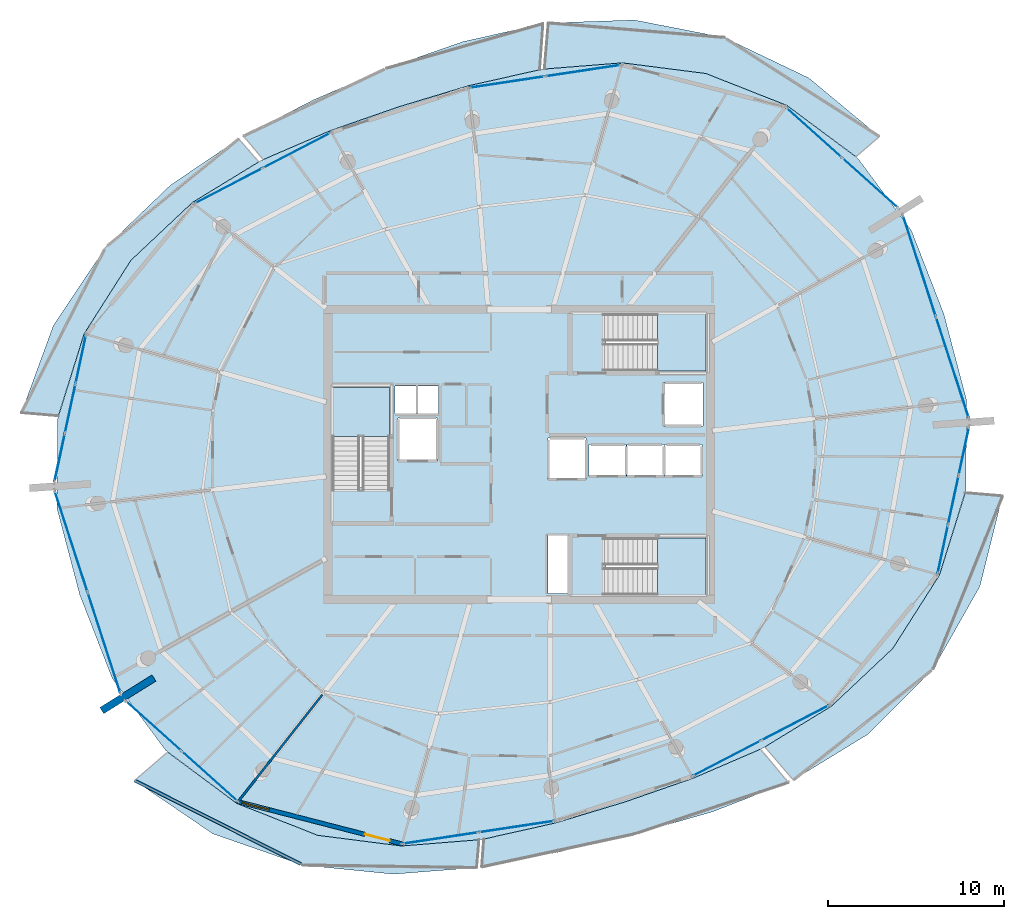
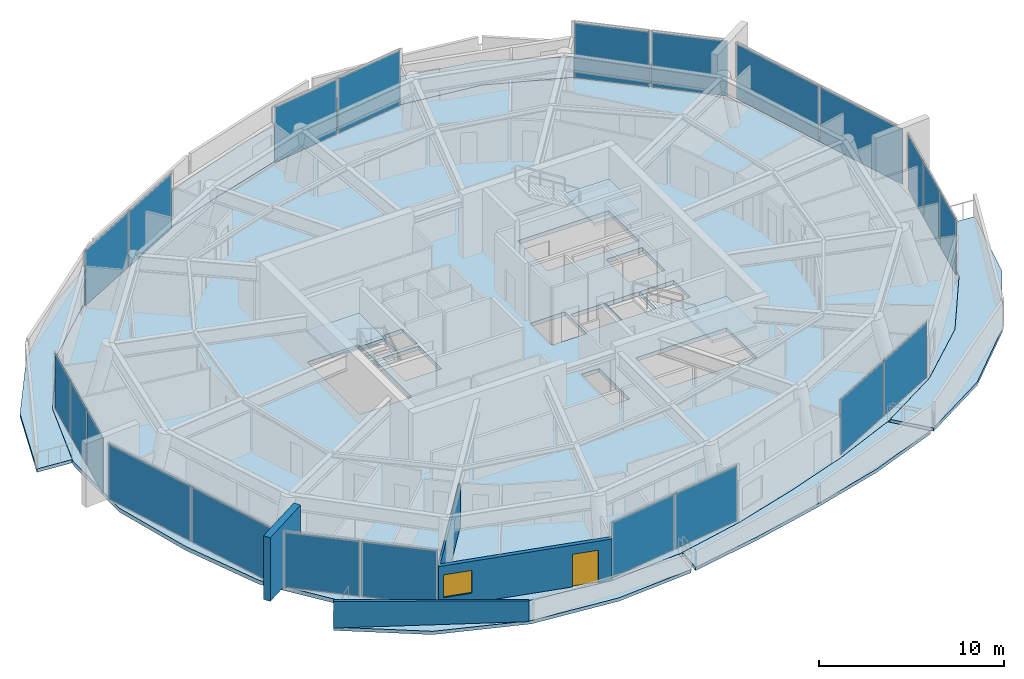
# One storey, part 8 of 19: 22 plates, 10 slabs, 4 walls, 1 door, 1 window, 2 openings, 13 elements without a shape of their own.
"""IFC4 building model written with IfcOpenShell, lengths in metres."""

from ifc_helpers import new_model, si_unit, direction, frame, frame_2d, origin, origin_2d, place, context, subcontext, project, spatial, polyline, rectangle, outline, extrude, material, layer, layer_set, type_object, element, fill, aggregate, save


model = new_model("IFC4")

# Units and contexts
model_context = context("Model", 3, precision=1e-05, world=origin(), true_north=direction((0.0, 1.0)))
body_context = subcontext(model_context, "Body", "Model", "MODEL_VIEW")
ifc_project = project(units=[si_unit("LENGTHUNIT", "METRE"), si_unit("AREAUNIT", "SQUARE_METRE"), si_unit("VOLUMEUNIT", "CUBIC_METRE"), si_unit("PLANEANGLEUNIT", "RADIAN"), si_unit("MASSUNIT", "GRAM", prefix="KILO")], contexts=[model_context])

# Site, building, storey
site_placement = place(None, origin())
site = spatial("IfcSite", under=ifc_project, at=site_placement, CompositionType="ELEMENT")
building_placement = place(site_placement, origin())
building = spatial("IfcBuilding", under=site, at=building_placement, Name="Kazma Halo Residences", CompositionType="ELEMENT")
storey_placement = place(building_placement, frame((0.0, 0.0, 347.300048828125)))
storey = spatial("IfcBuildingStorey", under=building, at=storey_placement, Name="L87", CompositionType="ELEMENT", Elevation=347.300048828125)

# Curtain wall, plates
ifc_material_1 = material(Name="Aluminium AW-6063 T6 and Triple-Silver Low-E Glass", Category="aluminium")
ifc_layer_1 = layer(ifc_material_1, 0.239990234375)
ifc_layer_set_1 = layer_set([ifc_layer_1], Name="Aluminium AW-6063 T6 and Triple-Silver Low-E Glass")
curtain_wall_type = type_object("IfcCurtainWallType", Name="CW-SYS-6", PredefinedType="NOTDEFINED", material=ifc_layer_set_1)
curtain_wall_1_placement = place(storey_placement, origin())
curtain_wall_1 = element("IfcCurtainWall", 1, at=curtain_wall_1_placement, inside=storey, type_object=curtain_wall_type, Name="L87 unitised curtain wall B01", PredefinedType="NOTDEFINED")
ifc_material_2 = material(Name="Clear Triple-Silver Low-E Glass IGU", Category="glass")
ifc_layer_2 = layer(ifc_material_2, 0.035888671875)
ifc_layer_set_2 = layer_set([ifc_layer_2], Name="Clear Triple-Silver Low-E Glass IGU")
plate_type = type_object("IfcPlateType", Name="CW-SYS-6-PNL", PredefinedType="CURTAIN_PANEL", material=ifc_layer_set_2)
plate_1_placement = place(storey_placement, frame((68.37646484375, 57.44189453125, 0.080078125), z_axis=(0.0, 0.0, 1.0), x_axis=(-0.744378829791, 0.667757559118, 0.0)))
plate_1 = element("IfcPlate", 2, at=plate_1_placement, type_object=plate_type, Name="CWS-6 panel 1.1", PredefinedType="CURTAIN_PANEL", context=body_context, shape_type="SweptSolid", body=[
    extrude(rectangle(XDim=4.19677734375, YDim=0.035888671875, at=origin_2d()), origin(), (0.0, 0.0, 1.0), 3.639892578125),
])
plate_2_placement = place(storey_placement, frame((65.19287109375, 60.297607421875, 0.080078125), z_axis=(0.0, 0.0, 1.0), x_axis=(-0.744378829791, 0.667757559118, 0.0)))
plate_2 = element("IfcPlate", 3, at=plate_2_placement, type_object=plate_type, Name="CWS-6 panel 2.1", PredefinedType="CURTAIN_PANEL", context=body_context, shape_type="SweptSolid", body=[
    extrude(rectangle(XDim=4.19677734375, YDim=0.035888671875, at=origin_2d()), origin(), (0.0, 0.0, 1.0), 3.639892578125),
])
aggregate(curtain_wall_1, [plate_1, plate_2])

curtain_wall_2_placement = place(storey_placement, origin())
curtain_wall_2 = element("IfcCurtainWall", 4, at=curtain_wall_2_placement, inside=storey, type_object=curtain_wall_type, Name="L87 unitised curtain wall B03", PredefinedType="NOTDEFINED")
plate_3_placement = place(storey_placement, frame((52.049560546875, 63.82275390625, 0.080078125), z_axis=(0.0, 0.0, 1.0), x_axis=(-0.988856643836, -0.148870876743, 0.0)))
plate_3 = element("IfcPlate", 5, at=plate_3_placement, type_object=plate_type, Name="CWS-6 panel 1.1", PredefinedType="CURTAIN_PANEL", context=body_context, shape_type="SweptSolid", body=[
    extrude(rectangle(XDim=4.28662109375, YDim=0.035888671875, at=origin_2d()), origin(), (0.0, 0.0, 1.0), 3.639892578125),
])
plate_4_placement = place(storey_placement, frame((47.731689453125, 63.1728515625, 0.080078125), z_axis=(0.0, 0.0, 1.0), x_axis=(-0.988856643836, -0.148870876743, 0.0)))
plate_4 = element("IfcPlate", 6, at=plate_4_placement, type_object=plate_type, Name="CWS-6 panel 2.1", PredefinedType="CURTAIN_PANEL", context=body_context, shape_type="SweptSolid", body=[
    extrude(rectangle(XDim=4.28662109375, YDim=0.035888671875, at=origin_2d()), origin(), (0.0, 0.0, 1.0), 3.639892578125),
])
aggregate(curtain_wall_2, [plate_3, plate_4])

curtain_wall_3_placement = place(storey_placement, origin())
curtain_wall_3 = element("IfcCurtainWall", 7, at=curtain_wall_3_placement, inside=storey, type_object=curtain_wall_type, Name="L87 unitised curtain wall B05", PredefinedType="NOTDEFINED")
plate_5_placement = place(storey_placement, frame((35.77197265625, 59.286865234375, 0.080078125), z_axis=(0.0, 0.0, 1.0), x_axis=(-0.887506071618, -0.460796020861, 0.0)))
plate_5 = element("IfcPlate", 8, at=plate_5_placement, type_object=plate_type, Name="CWS-6 panel 1.1", PredefinedType="CURTAIN_PANEL", context=body_context, shape_type="SweptSolid", body=[
    extrude(rectangle(XDim=4.28662109375, YDim=0.035888671875, at=origin_2d()), origin(), (0.0, 0.0, 1.0), 3.639892578125),
])
plate_6_placement = place(storey_placement, frame((31.896728515625, 57.274658203125, 0.080078125), z_axis=(0.0, 0.0, 1.0), x_axis=(-0.887506071618, -0.460796020861, 0.0)))
plate_6 = element("IfcPlate", 9, at=plate_6_placement, type_object=plate_type, Name="CWS-6 panel 2.1", PredefinedType="CURTAIN_PANEL", context=body_context, shape_type="SweptSolid", body=[
    extrude(rectangle(XDim=4.28662109375, YDim=0.035888671875, at=origin_2d()), origin(), (0.0, 0.0, 1.0), 3.639892578125),
])
aggregate(curtain_wall_3, [plate_5, plate_6])

curtain_wall_4_placement = place(storey_placement, origin())
curtain_wall_4 = element("IfcCurtainWall", 10, at=curtain_wall_4_placement, inside=storey, type_object=curtain_wall_type, Name="L87 unitised curtain wall B07", PredefinedType="NOTDEFINED")
plate_7_placement = place(storey_placement, frame((23.486572265625, 47.40087890625, 0.080078125), z_axis=(0.0, 0.0, 1.0), x_axis=(-0.209722888986, -0.977760865363, 0.0)))
plate_7 = element("IfcPlate", 11, at=plate_7_placement, type_object=plate_type, Name="CWS-6 panel 1.1", PredefinedType="CURTAIN_PANEL", context=body_context, shape_type="SweptSolid", body=[
    extrude(rectangle(XDim=2.7578125, YDim=0.035888671875, at=origin_2d()), origin(), (0.0, 0.0, 1.0), 3.639892578125),
])
plate_8_placement = place(storey_placement, frame((22.88720703125, 44.6064453125, 0.080078125), z_axis=(0.0, 0.0, 1.0), x_axis=(-0.209722888986, -0.977760865363, 0.0)))
plate_8 = element("IfcPlate", 12, at=plate_8_placement, type_object=plate_type, Name="CWS-6 panel 2.1", PredefinedType="CURTAIN_PANEL", context=body_context, shape_type="SweptSolid", body=[
    extrude(rectangle(XDim=2.7978515625, YDim=0.035888671875, at=origin_2d()), origin(), (0.0, 0.0, 1.0), 3.639892578125),
])
plate_9_placement = place(storey_placement, frame((22.287841796875, 41.812255859375, 0.080078125), z_axis=(0.0, 0.0, 1.0), x_axis=(-0.209722888986, -0.977760865363, 0.0)))
plate_9 = element("IfcPlate", 13, at=plate_9_placement, type_object=plate_type, Name="CWS-6 panel 3.1", PredefinedType="CURTAIN_PANEL", context=body_context, shape_type="SweptSolid", body=[
    extrude(rectangle(XDim=2.7578125, YDim=0.035888671875, at=origin_2d()), origin(), (0.0, 0.0, 1.0), 3.639892578125),
])
aggregate(curtain_wall_4, [plate_7, plate_8, plate_9])

curtain_wall_5_placement = place(storey_placement, origin())
curtain_wall_5 = element("IfcCurtainWall", 14, at=curtain_wall_5_placement, inside=storey, type_object=curtain_wall_type, Name="L87 unitised curtain wall B08", PredefinedType="NOTDEFINED")
plate_10_placement = place(storey_placement, frame((22.939208984375, 37.0498046875, 0.080078125), z_axis=(0.0, 0.0, 1.0), x_axis=(0.309018932797, -0.951055886462, 0.0)))
plate_10 = element("IfcPlate", 15, at=plate_10_placement, type_object=plate_type, Name="CWS-6 panel 1.1", PredefinedType="CURTAIN_PANEL", context=body_context, shape_type="SweptSolid", body=[
    extrude(rectangle(XDim=5.99267578125, YDim=0.035888671875, at=origin_2d()), origin(), (0.0, 0.0, 1.0), 3.639892578125),
])
plate_11_placement = place(storey_placement, frame((24.81591796875, 31.2744140625, 0.080078125), z_axis=(0.0, 0.0, 1.0), x_axis=(0.309018932797, -0.951055886462, 0.0)))
plate_11 = element("IfcPlate", 16, at=plate_11_placement, type_object=plate_type, Name="CWS-6 panel 2.1", PredefinedType="CURTAIN_PANEL", context=body_context, shape_type="SweptSolid", body=[
    extrude(rectangle(XDim=5.99267578125, YDim=0.035888671875, at=origin_2d()), origin(), (0.0, 0.0, 1.0), 3.639892578125),
])
aggregate(curtain_wall_5, [plate_10, plate_11])

curtain_wall_6_placement = place(storey_placement, origin())
curtain_wall_6 = element("IfcCurtainWall", 17, at=curtain_wall_6_placement, inside=storey, type_object=curtain_wall_type, Name="L87 unitised curtain wall B09", PredefinedType="NOTDEFINED")
plate_12_placement = place(storey_placement, frame((27.62353515625, 26.55810546875, 0.080078125), z_axis=(0.0, 0.0, 1.0), x_axis=(0.744378829791, -0.667757559118, 0.0)))
plate_12 = element("IfcPlate", 18, at=plate_12_placement, type_object=plate_type, Name="CWS-6 panel 1.1", PredefinedType="CURTAIN_PANEL", context=body_context, shape_type="SweptSolid", body=[
    extrude(rectangle(XDim=4.19677734375, YDim=0.035888671875, at=origin_2d()), origin(), (0.0, 0.0, 1.0), 3.639892578125),
])
plate_13_placement = place(storey_placement, frame((30.80712890625, 23.702392578125, 0.080078125), z_axis=(0.0, 0.0, 1.0), x_axis=(0.744378829791, -0.667757559118, 0.0)))
plate_13 = element("IfcPlate", 19, at=plate_13_placement, type_object=plate_type, Name="CWS-6 panel 2.1", PredefinedType="CURTAIN_PANEL", context=body_context, shape_type="SweptSolid", body=[
    extrude(rectangle(XDim=4.19677734375, YDim=0.035888671875, at=origin_2d()), origin(), (0.0, 0.0, 1.0), 3.639892578125),
])
aggregate(curtain_wall_6, [plate_12, plate_13])

curtain_wall_7_placement = place(storey_placement, origin())
curtain_wall_7 = element("IfcCurtainWall", 20, at=curtain_wall_7_placement, inside=storey, type_object=curtain_wall_type, Name="L87 unitised curtain wall B11", PredefinedType="NOTDEFINED")
plate_14_placement = place(storey_placement, frame((43.950439453125, 20.17724609375, 0.080078125), z_axis=(0.0, 0.0, 1.0), x_axis=(0.988856643836, 0.148870876743, 0.0)))
plate_14 = element("IfcPlate", 21, at=plate_14_placement, type_object=plate_type, Name="CWS-6 panel 1.1", PredefinedType="CURTAIN_PANEL", context=body_context, shape_type="SweptSolid", body=[
    extrude(rectangle(XDim=4.28662109375, YDim=0.035888671875, at=origin_2d()), origin(), (0.0, 0.0, 1.0), 3.639892578125),
])
plate_15_placement = place(storey_placement, frame((48.268310546875, 20.8271484375, 0.080078125), z_axis=(0.0, 0.0, 1.0), x_axis=(0.988856643836, 0.148870876743, 0.0)))
plate_15 = element("IfcPlate", 22, at=plate_15_placement, type_object=plate_type, Name="CWS-6 panel 2.1", PredefinedType="CURTAIN_PANEL", context=body_context, shape_type="SweptSolid", body=[
    extrude(rectangle(XDim=4.28662109375, YDim=0.035888671875, at=origin_2d()), origin(), (0.0, 0.0, 1.0), 3.639892578125),
])
aggregate(curtain_wall_7, [plate_14, plate_15])

curtain_wall_8_placement = place(storey_placement, origin())
curtain_wall_8 = element("IfcCurtainWall", 23, at=curtain_wall_8_placement, inside=storey, type_object=curtain_wall_type, Name="L87 unitised curtain wall B13", PredefinedType="NOTDEFINED")
plate_16_placement = place(storey_placement, frame((60.22802734375, 24.713134765625, 0.080078125), z_axis=(0.0, 0.0, 1.0), x_axis=(0.887506071618, 0.460796020861, 0.0)))
plate_16 = element("IfcPlate", 24, at=plate_16_placement, type_object=plate_type, Name="CWS-6 panel 1.1", PredefinedType="CURTAIN_PANEL", context=body_context, shape_type="SweptSolid", body=[
    extrude(rectangle(XDim=4.28662109375, YDim=0.035888671875, at=origin_2d()), origin(), (0.0, 0.0, 1.0), 3.639892578125),
])
plate_17_placement = place(storey_placement, frame((64.103271484375, 26.725341796875, 0.080078125), z_axis=(0.0, 0.0, 1.0), x_axis=(0.887506071618, 0.460796020861, 0.0)))
plate_17 = element("IfcPlate", 25, at=plate_17_placement, type_object=plate_type, Name="CWS-6 panel 2.1", PredefinedType="CURTAIN_PANEL", context=body_context, shape_type="SweptSolid", body=[
    extrude(rectangle(XDim=4.28662109375, YDim=0.035888671875, at=origin_2d()), origin(), (0.0, 0.0, 1.0), 3.639892578125),
])
aggregate(curtain_wall_8, [plate_16, plate_17])

curtain_wall_9_placement = place(storey_placement, origin())
curtain_wall_9 = element("IfcCurtainWall", 26, at=curtain_wall_9_placement, inside=storey, type_object=curtain_wall_type, Name="L87 unitised curtain wall B15", PredefinedType="NOTDEFINED")
plate_18_placement = place(storey_placement, frame((72.513427734375, 36.59912109375, 0.080078125), z_axis=(0.0, 0.0, 1.0), x_axis=(0.209722888986, 0.977760865363, 0.0)))
plate_18 = element("IfcPlate", 27, at=plate_18_placement, type_object=plate_type, Name="CWS-6 panel 1.1", PredefinedType="CURTAIN_PANEL", context=body_context, shape_type="SweptSolid", body=[
    extrude(rectangle(XDim=2.7578125, YDim=0.035888671875, at=origin_2d()), origin(), (0.0, 0.0, 1.0), 3.639892578125),
])
plate_19_placement = place(storey_placement, frame((73.11279296875, 39.3935546875, 0.080078125), z_axis=(0.0, 0.0, 1.0), x_axis=(0.209722888986, 0.977760865363, 0.0)))
plate_19 = element("IfcPlate", 28, at=plate_19_placement, type_object=plate_type, Name="CWS-6 panel 2.1", PredefinedType="CURTAIN_PANEL", context=body_context, shape_type="SweptSolid", body=[
    extrude(rectangle(XDim=2.7978515625, YDim=0.035888671875, at=origin_2d()), origin(), (0.0, 0.0, 1.0), 3.639892578125),
])
plate_20_placement = place(storey_placement, frame((73.712158203125, 42.187744140625, 0.080078125), z_axis=(0.0, 0.0, 1.0), x_axis=(0.209722888986, 0.977760865363, 0.0)))
plate_20 = element("IfcPlate", 29, at=plate_20_placement, type_object=plate_type, Name="CWS-6 panel 3.1", PredefinedType="CURTAIN_PANEL", context=body_context, shape_type="SweptSolid", body=[
    extrude(rectangle(XDim=2.7578125, YDim=0.035888671875, at=origin_2d()), origin(), (0.0, 0.0, 1.0), 3.639892578125),
])
aggregate(curtain_wall_9, [plate_18, plate_19, plate_20])

curtain_wall_10_placement = place(storey_placement, origin())
curtain_wall_10 = element("IfcCurtainWall", 30, at=curtain_wall_10_placement, inside=storey, type_object=curtain_wall_type, Name="L87 unitised curtain wall B16", PredefinedType="NOTDEFINED")
plate_21_placement = place(storey_placement, frame((73.060791015625, 46.9501953125, 0.080078125), z_axis=(0.0, 0.0, 1.0), x_axis=(-0.309018932797, 0.951055886462, 0.0)))
plate_21 = element("IfcPlate", 31, at=plate_21_placement, type_object=plate_type, Name="CWS-6 panel 1.1", PredefinedType="CURTAIN_PANEL", context=body_context, shape_type="SweptSolid", body=[
    extrude(rectangle(XDim=5.99267578125, YDim=0.035888671875, at=origin_2d()), origin(), (0.0, 0.0, 1.0), 3.639892578125),
])
plate_22_placement = place(storey_placement, frame((71.18408203125, 52.7255859375, 0.080078125), z_axis=(0.0, 0.0, 1.0), x_axis=(-0.309018932797, 0.951055886462, 0.0)))
plate_22 = element("IfcPlate", 32, at=plate_22_placement, type_object=plate_type, Name="CWS-6 panel 2.1", PredefinedType="CURTAIN_PANEL", context=body_context, shape_type="SweptSolid", body=[
    extrude(rectangle(XDim=5.99267578125, YDim=0.035888671875, at=origin_2d()), origin(), (0.0, 0.0, 1.0), 3.639892578125),
])
aggregate(curtain_wall_10, [plate_21, plate_22])

# Slabs
ifc_material_3 = material(Name="White Concrete C50/60", Category="concrete")
ifc_layer_3 = layer(ifc_material_3, 0.219970703125)
ifc_layer_set_3 = layer_set([ifc_layer_3], Name="White Concrete C50/60")
slab_type_1 = type_object("IfcSlabType", Name="SLB-BAL-WAVE-210", PredefinedType="FLOOR", material=ifc_layer_set_3)
slab_1_placement = place(storey_placement, frame((0.0, 0.0, -0.219970703125)))
element("IfcSlab", 33, at=slab_1_placement, inside=storey, type_object=slab_type_1, Name="L87 NE cantilevered wave balcony slab", PredefinedType="FLOOR", context=body_context, shape_type="SweptSolid", body=[
    extrude(outline(polyline([(67.578369140625, 58.929443359375), (63.64697265625, 61.847900390625), (59.038818359375, 63.664794921875), (54.281005859375, 64.271240234375), (49.85986328125, 63.918701171875), (50.08203125, 66.53759765625), (54.968017578125, 66.70654296875), (60.08154296875, 65.71142578125), (64.8828125, 63.416015625), (68.906982421875, 60.078369140625), (67.578369140625, 58.929443359375)])), origin(), (0.0, 0.0, 1.0), 0.219970703125),
])
slab_2_placement = place(storey_placement, frame((0.0, 0.0, -0.219970703125)))
element("IfcSlab", 34, at=slab_2_placement, inside=storey, type_object=slab_type_1, Name="L87 NNW cantilevered wave balcony slab", PredefinedType="FLOOR", context=body_context, shape_type="SweptSolid", body=[
    extrude(outline(polyline([(49.58740234375, 63.8779296875), (45.518798828125, 62.962890625), (41.575927734375, 61.771484375), (37.685546875, 60.417724609375), (33.856201171875, 58.7666015625), (32.732177734375, 60.09912109375), (36.7099609375, 62.159912109375), (40.865966796875, 63.9560546875), (45.221435546875, 65.475830078125), (49.77734375, 66.4951171875), (49.58740234375, 63.8779296875)])), origin(), (0.0, 0.0, 1.0), 0.219970703125),
])
slab_3_placement = place(storey_placement, frame((0.0, 0.0, -0.219970703125)))
element("IfcSlab", 35, at=slab_3_placement, inside=storey, type_object=slab_type_1, Name="L87 NW cantilevered wave balcony slab", PredefinedType="FLOOR", context=body_context, shape_type="SweptSolid", body=[
    extrude(outline(polyline([(33.61181640625, 58.639404296875), (29.82763671875, 56.325927734375), (26.335205078125, 53.038818359375), (23.675048828125, 48.8603515625), (22.2099609375, 44.188232421875), (20.109619140625, 44.366455078125), (21.933837890625, 49.351318359375), (24.893798828125, 53.773193359375), (28.580810546875, 57.30908203125), (32.477783203125, 59.951171875), (33.61181640625, 58.639404296875)])), origin(), (0.0, 0.0, 1.0), 0.219970703125),
])
slab_4_placement = place(storey_placement, frame((0.0, 0.0, -0.219970703125)))
element("IfcSlab", 36, at=slab_4_placement, inside=storey, type_object=slab_type_1, Name="L87 SW cantilevered wave balcony slab", PredefinedType="FLOOR", context=body_context, shape_type="SweptSolid", body=[
    extrude(outline(polyline([(28.421630859375, 25.070556640625), (32.35302734375, 22.152099609375), (36.961181640625, 20.335205078125), (41.718994140625, 19.728759765625), (46.14013671875, 20.081298828125), (46.005859375, 18.49853515625), (41.2666015625, 18.125732421875), (36.09912109375, 18.643310546875), (30.991455078125, 20.4248046875), (26.547119140625, 23.449462890625), (28.421630859375, 25.070556640625)])), origin(), (0.0, 0.0, 1.0), 0.219970703125),
])
slab_5_placement = place(storey_placement, frame((0.0, 0.0, -0.219970703125)))
element("IfcSlab", 37, at=slab_5_placement, inside=storey, type_object=slab_type_1, Name="L87 SSE cantilevered wave balcony slab", PredefinedType="FLOOR", context=body_context, shape_type="SweptSolid", body=[
    extrude(outline(polyline([(46.41259765625, 20.1220703125), (50.481201171875, 21.037109375), (54.424072265625, 22.228515625), (58.314453125, 23.582275390625), (62.143798828125, 25.2333984375), (63.733154296875, 23.34912109375), (59.38916015625, 21.6630859375), (55.010986328125, 20.42236328125), (50.677001953125, 19.3828125), (46.2978515625, 18.5419921875), (46.41259765625, 20.1220703125)])), origin(), (0.0, 0.0, 1.0), 0.219970703125),
])
slab_6_placement = place(storey_placement, frame((0.0, 0.0, -0.219970703125)))
element("IfcSlab", 38, at=slab_6_placement, inside=storey, type_object=slab_type_1, Name="L87 SE cantilevered wave balcony slab", PredefinedType="FLOOR", context=body_context, shape_type="SweptSolid", body=[
    extrude(outline(polyline([(62.38818359375, 25.360595703125), (66.17236328125, 27.674072265625), (69.664794921875, 30.961181640625), (72.324951171875, 35.1396484375), (73.7900390625, 39.811767578125), (75.909423828125, 39.6318359375), (74.622314453125, 34.49169921875), (71.962158203125, 29.79052734375), (68.22021484375, 26.0595703125), (64.011962890625, 23.482666015625), (62.38818359375, 25.360595703125)])), origin(), (0.0, 0.0, 1.0), 0.219970703125),
])
ifc_material_4 = material(Name="Concrete C50/60", Category="concrete")
ifc_layer_4 = layer(ifc_material_4, 0.260009765625)
ifc_layer_set_4 = layer_set([ifc_layer_4], Name="Concrete C50/60")
slab_type_2 = type_object("IfcSlabType", Name="SLB-RES-260", PredefinedType="FLOOR", material=ifc_layer_set_4)
slab_7_placement = place(storey_placement, frame((0.0, 0.0, -0.260009765625)))
element("IfcSlab", 39, at=slab_7_placement, inside=storey, type_object=slab_type_2, Name="L87 structural floor slab", PredefinedType="FLOOR", context=body_context, shape_type="SweptSolid", body=[
    extrude(outline(polyline([(72.573486328125, 49.984375), (70.730224609375, 54.7294921875), (67.697265625, 58.822998046875), (63.6455078125, 61.84619140625), (59.037841796875, 63.6630859375), (54.280517578125, 64.269287109375), (49.723876953125, 63.90478515625), (45.51904296875, 62.9609375), (41.576416015625, 61.76953125), (37.6865234375, 60.416015625), (33.72998046875, 58.7080078125), (29.829345703125, 56.32470703125), (26.3369140625, 53.037841796875), (23.677001953125, 48.85986328125), (22.17626953125, 44.032470703125), (22.12841796875, 38.93798828125), (23.426513671875, 34.015625), (25.269775390625, 29.2705078125), (28.302734375, 25.177001953125), (32.3544921875, 22.15380859375), (36.962158203125, 20.3369140625), (41.719482421875, 19.730712890625), (46.276123046875, 20.09521484375), (50.48095703125, 21.0390625), (54.423583984375, 22.23046875), (58.3134765625, 23.583984375), (62.27001953125, 25.2919921875), (66.170654296875, 27.67529296875), (69.6630859375, 30.962158203125), (72.322998046875, 35.14013671875), (73.82373046875, 39.967529296875), (73.87158203125, 45.06201171875), (72.573486328125, 49.984375)]), holes=[polyline([(37.800048828125, 40.110107421875), (41.050048828125, 40.110107421875), (41.050048828125, 45.800048828125), (37.800048828125, 45.800048828125), (37.800048828125, 40.110107421875)]), polyline([(53.360107421875, 46.75), (59.050048828125, 46.75), (59.050048828125, 50.0), (53.360107421875, 50.0), (53.360107421875, 46.75)]), polyline([(53.360107421875, 34.0), (59.050048828125, 34.0), (59.050048828125, 37.25), (53.360107421875, 37.25), (53.360107421875, 34.0)]), polyline([(41.52001953125, 41.6201171875), (43.780029296875, 41.6201171875), (43.780029296875, 44.080078125), (41.52001953125, 44.080078125), (41.52001953125, 41.6201171875)]), polyline([(56.6201171875, 43.6201171875), (58.8798828125, 43.6201171875), (58.8798828125, 46.080078125), (56.6201171875, 46.080078125), (56.6201171875, 43.6201171875)]), polyline([(52.39501953125, 40.7451171875), (54.5048828125, 40.7451171875), (54.5048828125, 42.554931640625), (52.39501953125, 42.554931640625), (52.39501953125, 40.7451171875)]), polyline([(54.544921875, 40.7451171875), (56.655029296875, 40.7451171875), (56.655029296875, 42.554931640625), (54.544921875, 42.554931640625), (54.544921875, 40.7451171875)]), polyline([(56.695068359375, 40.7451171875), (58.804931640625, 40.7451171875), (58.804931640625, 42.554931640625), (56.695068359375, 42.554931640625), (56.695068359375, 40.7451171875)]), polyline([(50.070068359375, 40.570068359375), (52.22998046875, 40.570068359375), (52.22998046875, 42.929931640625), (50.070068359375, 42.929931640625), (50.070068359375, 40.570068359375)]), polyline([(41.360107421875, 44.340087890625), (42.5400390625, 44.340087890625), (42.5400390625, 45.89990234375), (41.360107421875, 45.89990234375), (41.360107421875, 44.340087890625)]), polyline([(42.659912109375, 44.340087890625), (43.840087890625, 44.340087890625), (43.840087890625, 45.89990234375), (42.659912109375, 45.89990234375), (42.659912109375, 44.340087890625)]), polyline([(50.06005859375, 34.080078125), (51.159912109375, 34.080078125), (51.159912109375, 37.3798828125), (50.06005859375, 37.3798828125), (50.06005859375, 34.080078125)])]), origin(), (0.0, 0.0, 1.0), 0.260009765625),
])

# Stair, slab
stair_type = type_object("IfcStairType", Name="STR-RES2", PredefinedType="HALF_TURN_STAIR", material=ifc_material_4)
stair_1_placement = place(storey_placement, origin())
stair_1 = element("IfcStair", 40, at=stair_1_placement, inside=storey, type_object=stair_type, Name="L87 Core exit stair ST-01", PredefinedType="HALF_TURN_STAIR")
ifc_layer_5 = layer(ifc_material_4, 0.199951171875)
ifc_layer_set_5 = layer_set([ifc_layer_5], Name="Concrete C50/60")
slab_type_3 = type_object("IfcSlabType", Name="SLB-STAIR-LND-200", PredefinedType="LANDING", material=ifc_layer_set_5)
slab_8_placement = place(storey_placement, frame((0.0, 0.0, 1.89990234375)))
slab_8 = element("IfcSlab", 41, at=slab_8_placement, type_object=slab_type_3, Name="ST-01 landing 1", PredefinedType="LANDING", context=body_context, shape_type="SweptSolid", body=[
    extrude(outline(polyline([(41.050048828125, 43.030029296875), (41.050048828125, 45.800048828125), (37.800048828125, 45.800048828125), (37.800048828125, 43.030029296875), (41.050048828125, 43.030029296875)])), origin(), (0.0, 0.0, 1.0), 0.199951171875),
])
aggregate(stair_1, [slab_8])

stair_2_placement = place(storey_placement, origin())
stair_2 = element("IfcStair", 42, at=stair_2_placement, inside=storey, type_object=stair_type, Name="L87 Core exit stair ST-02", PredefinedType="HALF_TURN_STAIR")
slab_9_placement = place(storey_placement, frame((0.0, 0.0, 1.89990234375)))
slab_9 = element("IfcSlab", 43, at=slab_9_placement, type_object=slab_type_3, Name="ST-02 landing 1", PredefinedType="LANDING", context=body_context, shape_type="SweptSolid", body=[
    extrude(outline(polyline([(56.280029296875, 46.75), (59.050048828125, 46.75), (59.050048828125, 50.0), (56.280029296875, 50.0), (56.280029296875, 46.75)])), origin(), (0.0, 0.0, 1.0), 0.199951171875),
])
aggregate(stair_2, [slab_9])

stair_3_placement = place(storey_placement, origin())
stair_3 = element("IfcStair", 44, at=stair_3_placement, inside=storey, type_object=stair_type, Name="L87 Core exit stair ST-03", PredefinedType="HALF_TURN_STAIR")
slab_10_placement = place(storey_placement, frame((0.0, 0.0, 1.89990234375)))
slab_10 = element("IfcSlab", 45, at=slab_10_placement, type_object=slab_type_3, Name="ST-03 landing 1", PredefinedType="LANDING", context=body_context, shape_type="SweptSolid", body=[
    extrude(outline(polyline([(56.280029296875, 34.0), (59.050048828125, 34.0), (59.050048828125, 37.25), (56.280029296875, 37.25), (56.280029296875, 34.0)])), origin(), (0.0, 0.0, 1.0), 0.199951171875),
])
aggregate(stair_3, [slab_10])

# Walls
ifc_material_5 = material(Name="White Concrete C50/60 Balustrade", Category="concrete")
ifc_layer_6 = layer(ifc_material_5, 0.179931640625)
ifc_layer_set_6 = layer_set([ifc_layer_6], Name="White Concrete C50/60 Balustrade")
wall_type_1 = type_object("IfcWallType", Name="WL-BAL-WAVE-180", PredefinedType="PARAPET", material=ifc_layer_set_6)
wall_1_placement = place(storey_placement, frame((26.547119140625, 23.449462890625, 0.0), z_axis=(0.0, 0.0, 1.0), x_axis=(0.893288240785, -0.449484281009, 0.0)))
element("IfcWall", 46, at=wall_1_placement, inside=storey, type_object=wall_type_1, Name="L87 white wave balustrade wall SW.1", PredefinedType="PARAPET", context=body_context, shape_type="SweptSolid", body=[
    extrude(outline(polyline([(0.0, 0.0), (10.572998046875, 0.0), (10.572998046875, 1.347900390625), (5.28662109375, 1.56201171875), (0.0, 1.7470703125), (0.0, 0.0)])), frame((0.0, 0.08984375, 0.0), z_axis=(0.0, -1.0, 0.0), x_axis=(1.0, 0.0, 0.0)), (0.0, 0.0, 1.0), 0.179931640625),
])
ifc_material_6 = material(Name="Pale Concrete C60/75", Category="concrete")
ifc_layer_7 = layer(ifc_material_6, 0.419921875)
ifc_layer_set_7 = layer_set([ifc_layer_7], Name="Pale Concrete C60/75")
wall_type_2 = type_object("IfcWallType", Name="WL-BLADE-420", PredefinedType="SOLIDWALL", material=ifc_layer_set_7)
wall_2_placement = place(storey_placement, frame((27.6474609375, 29.2822265625, 0.0), z_axis=(0.0, 0.0, 1.0), x_axis=(-0.848053161125, -0.529911158502, 0.0)))
element("IfcWall", 47, at=wall_2_placement, inside=storey, type_object=wall_type_2, Name="L87 pale concrete structural blade fin wall BW-03", PredefinedType="SOLIDWALL", context=body_context, shape_type="SweptSolid", body=[
    extrude(rectangle(XDim=3.5, YDim=0.419921875, at=frame_2d((1.75, 0.0))), origin(), (0.0, 0.0, 1.0), 4.199951171875),
])

# Wall, openings, door, window
ifc_material_7 = material(Name="Insulated Pale-Metal Composite Wall")
ifc_layer_8 = layer(ifc_material_7, 0.239990234375)
ifc_layer_set_8 = layer_set([ifc_layer_8], Name="Insulated Pale-Metal Composite Wall")
wall_type_3 = type_object("IfcWallType", Name="WL-EXT-HOST-240", PredefinedType="SOLIDWALL", material=ifc_layer_set_8)
wall_3_placement = place(storey_placement, frame((32.380126953125, 22.26025390625, 0.0), z_axis=(0.0, 0.0, 1.0), x_axis=(0.968389076094, -0.249444577616, 0.0)))
wall_3 = element("IfcWall", 48, at=wall_3_placement, inside=storey, type_object=wall_type_3, Name="L87 exterior terrace-access wall B10", PredefinedType="SOLIDWALL", context=body_context, shape_type="SweptSolid", body=[
    extrude(rectangle(XDim=9.727783203125, YDim=0.239990234375, at=frame_2d((4.86376953125, 0.0))), origin(), (0.0, 0.0, 1.0), 2.75),
])
opening_1_placement = place(wall_3_placement, frame((7.5078125, 0.0, 0.0)))
opening_1 = element("IfcOpeningElement", 49, at=opening_1_placement, cuts=wall_3, Name="Opening DTR-1600", PredefinedType="OPENING", context=body_context, shape_type="SweptSolid", body=[
    extrude(rectangle(XDim=1.449951171875, YDim=2.14990234375, at=frame_2d((0.72509765625, 1.074951171875))), frame((0.0, 0.1298828125, 0.0), z_axis=(0.0, -1.0, 0.0), x_axis=(1.0, 0.0, 0.0)), (0.0, 0.0, 1.0), 0.260009765625),
])
opening_2_placement = place(wall_3_placement, frame((0.280029296875, 0.0, 0.64990234375)))
opening_2 = element("IfcOpeningElement", 50, at=opening_2_placement, cuts=wall_3, Name="Opening W-1800", PredefinedType="OPENING", context=body_context, shape_type="SweptSolid", body=[
    extrude(rectangle(XDim=1.60009765625, YDim=1.5, at=frame_2d((0.800048828125, 0.75))), frame((0.0, 0.1298828125, 0.0), z_axis=(0.0, -1.0, 0.0), x_axis=(1.0, 0.0, 0.0)), (0.0, 0.0, 1.0), 0.260009765625),
])
ifc_material_8 = material(Name="Aluminium AW-6063 T6 Double-Glazed Terrace Door", Category="aluminium")
door_type = type_object("IfcDoorType", Name="DR-EXT-TERR-1600", OperationType="NOTDEFINED", PredefinedType="DOOR", material=ifc_material_8)
door_placement = place(opening_1_placement, origin())
door = element("IfcDoor", 51, at=door_placement, inside=storey, type_object=door_type, Name="L87 B10 balcony terrace door", OperationType="DOUBLE_DOOR_SLIDING", OverallHeight=2.14990234375, OverallWidth=1.449951171875, PredefinedType="DOOR", context=body_context, shape_type="SweptSolid", body=[
    extrude(rectangle(XDim=1.449951171875, YDim=2.14990234375, at=frame_2d((0.72509765625, 1.074951171875))), frame((0.0, 0.02490234375, 0.0), z_axis=(0.0, -1.0, 0.0), x_axis=(1.0, 0.0, 0.0)), (0.0, 0.0, 1.0), 0.050048828125),
])
fill(opening_1, door)
ifc_material_9 = material(Name="Clear Triple-Silver Low-E Glass in Aluminium AW-6063 T6 Frame", Category="aluminium")
window_type = type_object("IfcWindowType", Name="WIN-RES-1800", PartitioningType="DOUBLE_PANEL_VERTICAL", PredefinedType="WINDOW", material=ifc_material_9)
window_placement = place(opening_2_placement, origin())
window = element("IfcWindow", 52, at=window_placement, inside=storey, type_object=window_type, Name="L87 B10 apartment window", OverallHeight=1.5, OverallWidth=1.60009765625, PartitioningType="SINGLE_PANEL", PredefinedType="WINDOW", context=body_context, shape_type="SweptSolid", body=[
    extrude(rectangle(XDim=1.60009765625, YDim=1.5, at=frame_2d((0.800048828125, 0.75))), frame((0.0, 0.030029296875, 0.0), z_axis=(0.0, -1.0, 0.0), x_axis=(1.0, 0.0, 0.0)), (0.0, 0.0, 1.0), 0.06005859375),
])
fill(opening_2, window)

# Wall
ifc_material_10 = material(Name="Gypsum Plasterboard Partition")
ifc_layer_9 = layer(ifc_material_10, 0.125)
ifc_layer_set_9 = layer_set([ifc_layer_9], Name="Gypsum Plasterboard Partition")
wall_type_4 = type_object("IfcWallType", Name="WL-PART-125", PredefinedType="PARTITIONING", material=ifc_layer_set_9)
wall_4_placement = place(storey_placement, frame((37.230224609375, 28.338623046875, 0.0), z_axis=(0.0, 0.0, 1.0), x_axis=(-0.619087123863, -0.785322311581, 0.0)))
element("IfcWall", 53, at=wall_4_placement, inside=storey, type_object=wall_type_4, Name="L87 Penthouse 2 radial partition 9", PredefinedType="PARTITIONING", context=body_context, shape_type="SweptSolid", body=[
    extrude(rectangle(XDim=7.73095703125, YDim=0.125, at=frame_2d((3.865478515625, 0.0))), origin(), (0.0, 0.0, 1.0), 2.7568359375),
])

save(model, "model.ifc")
